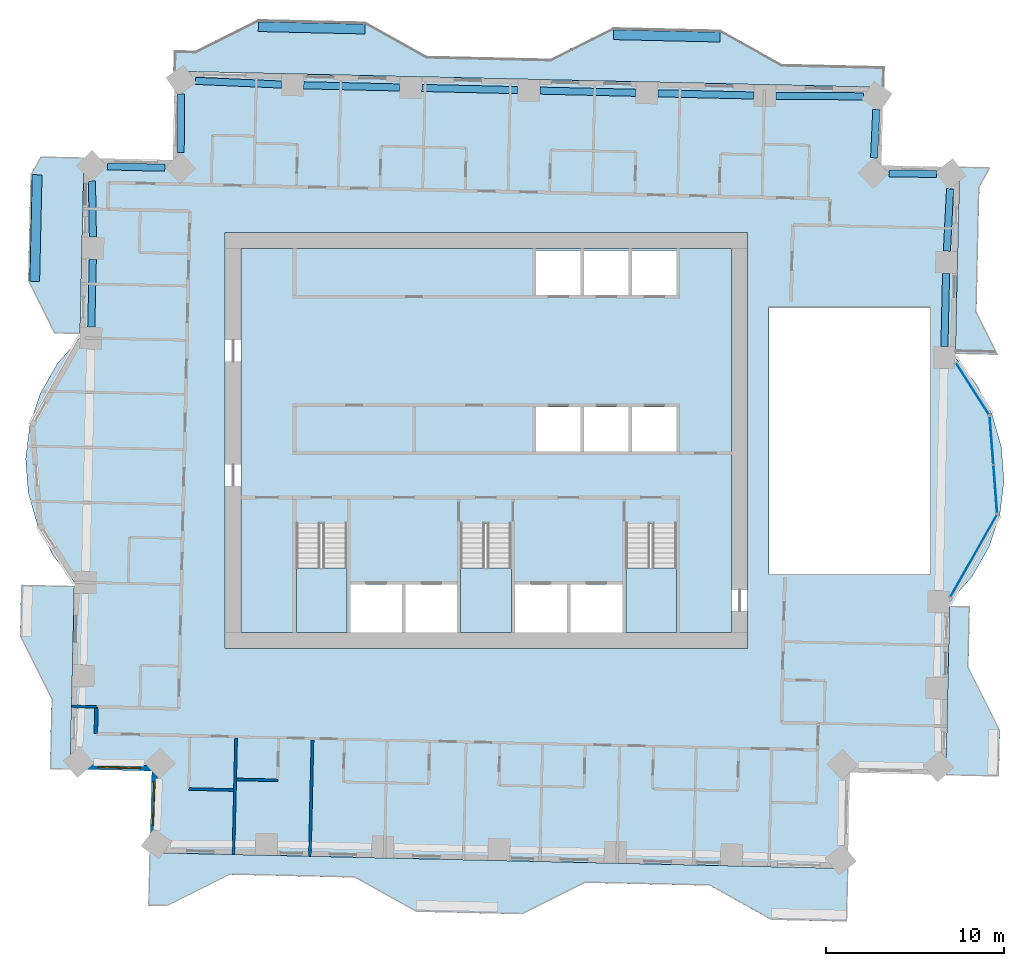
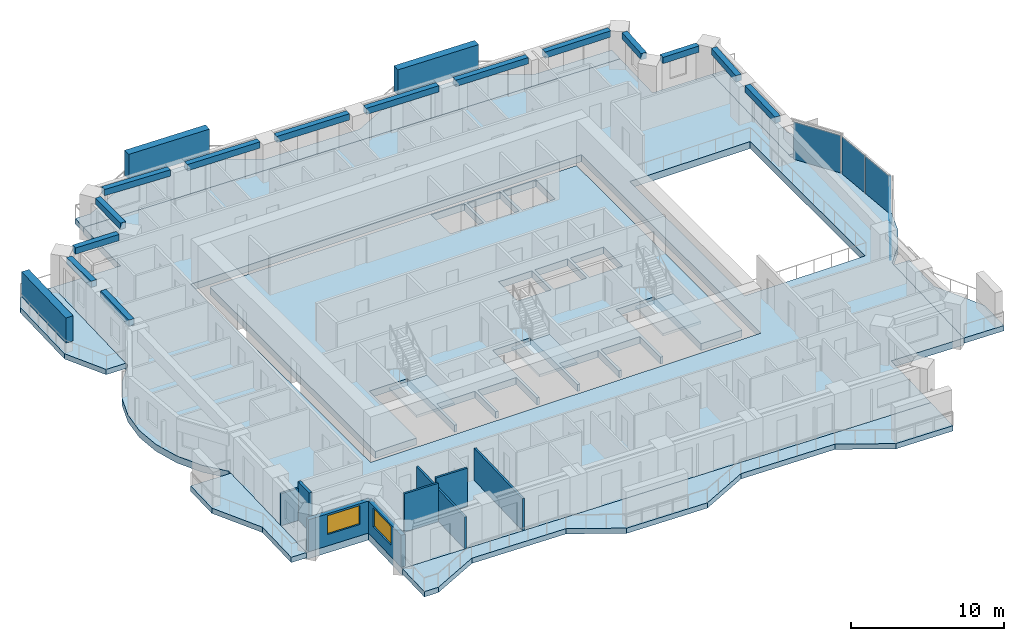
# One storey, part 3 of 15: 14 beams, 11 slabs, 8 walls, 4 plates, 3 members, 2 windows, 2 openings, 6 elements without a shape of their own.
"""IFC4 building model written with IfcOpenShell, lengths in metres."""

from ifc_helpers import new_model, si_unit, direction, frame, frame_2d, origin, origin_2d, place, context, subcontext, project, spatial, polyline, rectangle, outline, extrude, material, layer, layer_set, material_profile, profile_set, type_object, element, fill, aggregate, save


model = new_model("IFC4")

# Units and contexts
model_context = context("Model", 3, precision=1e-05, world=origin(), true_north=direction((0.0, 1.0)))
body_context = subcontext(model_context, "Body", "Model", "MODEL_VIEW")
ifc_project = project(units=[si_unit("LENGTHUNIT", "METRE"), si_unit("AREAUNIT", "SQUARE_METRE"), si_unit("VOLUMEUNIT", "CUBIC_METRE"), si_unit("PLANEANGLEUNIT", "RADIAN"), si_unit("MASSUNIT", "GRAM", prefix="KILO")], contexts=[model_context])

# Site, building, storey
site_placement = place(None, origin())
site = spatial("IfcSite", under=ifc_project, at=site_placement, CompositionType="ELEMENT")
building_placement = place(site_placement, origin())
building = spatial("IfcBuilding", under=site, at=building_placement, Name="Mangrove Gate Tower", CompositionType="ELEMENT")
storey_placement = place(building_placement, frame((0.0, 0.0, 156.300048828125)))
storey = spatial("IfcBuildingStorey", under=building, at=storey_placement, Name="L39", CompositionType="ELEMENT", Elevation=156.300048828125)

# Members
ifc_material_1 = material(Name="Planting on aluminium trellis", Category="aluminium")
ifc_material_profile_1 = material_profile(ifc_material_1, rectangle(XDim=0.550048828125, YDim=2.0, at=origin_2d()))
ifc_profile_set_1 = profile_set([ifc_material_profile_1], Name="Planting on aluminium trellis")
member_type = type_object("IfcMemberType", Name="Balcony greenery screen 550x2000", PredefinedType="USERDEFINED", material=ifc_profile_set_1)
member_1_placement = place(storey_placement, frame((7.156982421875, 22.844970703125, 1.800048828125), z_axis=(0.999743178102, -0.022662255828, 0.0), x_axis=(0.022662255828, 0.999743178102, 0.0)))
element("IfcMember", 1, at=member_1_placement, inside=storey, type_object=member_type, Name="GREEN SCREEN L39 N0.1", ObjectType="PLANTING", PredefinedType="USERDEFINED", context=body_context, shape_type="SweptSolid", body=[
    extrude(rectangle(XDim=0.550048828125, YDim=2.0, at=origin_2d()), origin(), (0.0, 0.0, 1.0), 6.00048828125),
])
member_2_placement = place(storey_placement, frame((-12.8369140625, 23.299072265625, 1.800048828125), z_axis=(0.999743073592, -0.022666865795, 0.0), x_axis=(0.022666865795, 0.999743073592, 0.0)))
element("IfcMember", 2, at=member_2_placement, inside=storey, type_object=member_type, Name="GREEN SCREEN L39 N1.1", ObjectType="PLANTING", PredefinedType="USERDEFINED", context=body_context, shape_type="SweptSolid", body=[
    extrude(rectangle(XDim=0.550048828125, YDim=2.0, at=origin_2d()), origin(), (0.0, 0.0, 1.0), 5.999267578125),
])
member_3_placement = place(storey_placement, frame((-25.4208984375, 8.966064453125, 1.800048828125), z_axis=(0.022665943652, 0.999743094499, 0.0), x_axis=(-0.999743094499, 0.022665943652, 0.0)))
element("IfcMember", 3, at=member_3_placement, inside=storey, type_object=member_type, Name="GREEN SCREEN L39 W0.1", ObjectType="PLANTING", PredefinedType="USERDEFINED", context=body_context, shape_type="SweptSolid", body=[
    extrude(rectangle(XDim=0.550048828125, YDim=2.0, at=origin_2d()), origin(), (0.0, 0.0, 1.0), 5.99951171875),
])

# Beams
ifc_material_2 = material(Name="Concrete C50/60", Category="concrete")
ifc_material_profile_2 = material_profile(ifc_material_2, rectangle(XDim=0.39990234375, YDim=0.5, at=origin_2d()))
ifc_profile_set_2 = profile_set([ifc_material_profile_2], Name="Concrete C50/60")
beam_type = type_object("IfcBeamType", Name="Edge beam RC 400x500 C50/60", PredefinedType="BEAM", material=ifc_profile_set_2)
beam_1_placement = place(storey_placement, frame((25.779296875, 5.303955078125, 2.800048828125), z_axis=(0.022564934913, 0.99974537944, 0.0), x_axis=(-0.99974537944, 0.022564934913, 0.0)))
element("IfcBeam", 4, at=beam_1_placement, inside=storey, type_object=beam_type, Name="Edge beam L39 15", PredefinedType="BEAM", context=body_context, shape_type="SweptSolid", body=[
    extrude(rectangle(XDim=0.39990234375, YDim=0.5, at=origin_2d()), origin(), (0.0, 0.0, 1.0), 4.111328125),
])
beam_2_placement = place(storey_placement, frame((25.918212890625, 10.66357421875, 2.800048828125), z_axis=(0.051264492748, 0.998685111426, 0.0), x_axis=(-0.998685111426, 0.051264492748, 0.0)))
element("IfcBeam", 5, at=beam_2_placement, inside=storey, type_object=beam_type, Name="Edge beam L39 16", PredefinedType="BEAM", context=body_context, shape_type="SweptSolid", body=[
    extrude(rectangle(XDim=0.39990234375, YDim=0.5, at=origin_2d()), origin(), (0.0, 0.0, 1.0), 3.5146484375),
])
beam_3_placement = place(storey_placement, frame((25.33935546875, 15.010498046875, 2.800048828125), z_axis=(-0.999924520308, 0.012286321129, 0.0), x_axis=(-0.012286321129, -0.999924520308, 0.0)))
element("IfcBeam", 6, at=beam_3_placement, inside=storey, type_object=beam_type, Name="Edge beam L39 17", PredefinedType="BEAM", context=body_context, shape_type="SweptSolid", body=[
    extrude(rectangle(XDim=0.39990234375, YDim=0.5, at=origin_2d()), origin(), (0.0, 0.0, 1.0), 2.6826171875),
])
beam_4_placement = place(storey_placement, frame((21.821044921875, 15.91796875, 2.800048828125), z_axis=(0.04517139191, 0.998979251713, 0.0), x_axis=(-0.998979251713, 0.04517139191, 0.0)))
element("IfcBeam", 7, at=beam_4_placement, inside=storey, type_object=beam_type, Name="Edge beam L39 18", PredefinedType="BEAM", context=body_context, shape_type="SweptSolid", body=[
    extrude(rectangle(XDim=0.39990234375, YDim=0.5, at=origin_2d()), origin(), (0.0, 0.0, 1.0), 2.718505859375),
])
beam_5_placement = place(storey_placement, frame((21.21923828125, 19.37646484375, 2.800048828125), z_axis=(-0.999980449933, 0.006252979488, 0.0), x_axis=(-0.006252979488, -0.999980449933, 0.0)))
element("IfcBeam", 8, at=beam_5_placement, inside=storey, type_object=beam_type, Name="Edge beam L39 19", PredefinedType="BEAM", context=body_context, shape_type="SweptSolid", body=[
    extrude(rectangle(XDim=0.39990234375, YDim=0.5, at=origin_2d()), origin(), (0.0, 0.0, 1.0), 4.91943359375),
])
beam_6_placement = place(storey_placement, frame((15.050048828125, 19.42529296875, 2.800048828125), z_axis=(-0.99974211572, 0.022709074303, 0.0), x_axis=(-0.022709074303, -0.99974211572, 0.0)))
element("IfcBeam", 9, at=beam_6_placement, inside=storey, type_object=beam_type, Name="Edge beam L39 20", PredefinedType="BEAM", context=body_context, shape_type="SweptSolid", body=[
    extrude(rectangle(XDim=0.39990234375, YDim=0.5, at=origin_2d()), origin(), (0.0, 0.0, 1.0), 5.39697265625),
])
for number, where, z_axis, x_axis, name in (
    (10, (8.405029296875, 19.576416015625, 2.800048828125), (-0.99974209239, 0.022710101379, 0.0), (-0.022710101379, -0.99974209239, 0.0), "Edge beam L39 21"),
    (11, (1.760009765625, 19.727294921875, 2.800048828125), (-0.999745164565, 0.022574453012, 0.0), (-0.022574453012, -0.999745164565, 0.0), "Edge beam L39 22"),
    (12, (-4.885009765625, 19.87744140625, 2.800048828125), (-0.99974209239, 0.022710101379, 0.0), (-0.022710101379, -0.99974209239, 0.0), "Edge beam L39 23"),
):
    element("IfcBeam", number, at=place(storey_placement, frame(where, z_axis=z_axis, x_axis=x_axis)), inside=storey, type_object=beam_type, Name=name, PredefinedType="BEAM", context=body_context, shape_type="SweptSolid", body=[
        extrude(rectangle(XDim=0.39990234375, YDim=0.5, at=origin_2d()), origin(), (0.0, 0.0, 1.0), 5.396728515625),
    ])
beam_7_placement = place(storey_placement, frame((-11.52978515625, 20.040771484375, 2.800048828125), z_axis=(-0.99908526165, 0.04276259995, 0.0), x_axis=(-0.04276259995, -0.99908526165, 0.0)))
element("IfcBeam", 13, at=beam_7_placement, inside=storey, type_object=beam_type, Name="Edge beam L39 24", PredefinedType="BEAM", context=body_context, shape_type="SweptSolid", body=[
    extrude(rectangle(XDim=0.39990234375, YDim=0.5, at=origin_2d()), origin(), (0.0, 0.0, 1.0), 4.852783203125),
])
beam_8_placement = place(storey_placement, frame((-17.1787109375, 19.5078125, 2.800048828125), z_axis=(-0.009256805477, -0.999957154858, 0.0), x_axis=(0.999957154858, -0.009256805477, 0.0)))
element("IfcBeam", 14, at=beam_8_placement, inside=storey, type_object=beam_type, Name="Edge beam L39 25", PredefinedType="BEAM", context=body_context, shape_type="SweptSolid", body=[
    extrude(rectangle(XDim=0.39990234375, YDim=0.5, at=origin_2d()), origin(), (0.0, 0.0, 1.0), 3.296875),
])
beam_9_placement = place(storey_placement, frame((-18.100341796875, 15.35986328125, 2.800048828125), z_axis=(-0.999728264074, 0.023310899004, 0.0), x_axis=(-0.023310899004, -0.999728264074, 0.0)))
element("IfcBeam", 15, at=beam_9_placement, inside=storey, type_object=beam_type, Name="Edge beam L39 26", PredefinedType="BEAM", context=body_context, shape_type="SweptSolid", body=[
    extrude(rectangle(XDim=0.39990234375, YDim=0.5, at=origin_2d()), origin(), (0.0, 0.0, 1.0), 3.236328125),
])
beam_10_placement = place(storey_placement, frame((-22.199462890625, 14.599609375, 2.800048828125), z_axis=(0.016224572201, -0.999868372966, 0.0), x_axis=(0.999868372966, 0.016224572201, 0.0)))
element("IfcBeam", 16, at=beam_10_placement, inside=storey, type_object=beam_type, Name="Edge beam L39 27", PredefinedType="BEAM", context=body_context, shape_type="SweptSolid", body=[
    extrude(rectangle(XDim=0.39990234375, YDim=0.5, at=origin_2d()), origin(), (0.0, 0.0, 1.0), 3.14501953125),
])
beam_11_placement = place(storey_placement, frame((-22.15234375, 10.205078125, 2.800048828125), z_axis=(-0.022733042384, -0.999741570999, 0.0), x_axis=(0.999741570999, -0.022733042384, 0.0)))
element("IfcBeam", 17, at=beam_11_placement, inside=storey, type_object=beam_type, Name="Edge beam L39 28", PredefinedType="BEAM", context=body_context, shape_type="SweptSolid", body=[
    extrude(rectangle(XDim=0.39990234375, YDim=0.5, at=origin_2d()), origin(), (0.0, 0.0, 1.0), 3.8125),
])

# Curtain wall, plate
ifc_material_3 = material(Name="Aluminium and glass curtain wall", Category="aluminium")
curtain_wall_type = type_object("IfcCurtainWallType", Name="Atrium garden-court glazing wall", PredefinedType="NOTDEFINED", material=ifc_material_3)
curtain_wall_1_placement = place(storey_placement, origin())
curtain_wall_1 = element("IfcCurtainWall", 18, at=curtain_wall_1_placement, inside=storey, type_object=curtain_wall_type, Name="Atrium garden-court glazing E1f1", PredefinedType="NOTDEFINED")
ifc_material_4 = material(Name="Laminated low-e glass", Category="glass")
ifc_layer_1 = layer(ifc_material_4, 0.031982421875)
ifc_layer_set_1 = layer_set([ifc_layer_1], Name="Atrium garden-court glazing panel 32")
plate_type = type_object("IfcPlateType", Name="Atrium garden-court glazing panel 32", PredefinedType="CURTAIN_PANEL", material=ifc_layer_set_1)
plate_1_placement = place(storey_placement, frame((27.4228515625, -6.48876953125, 0.0), z_axis=(0.0, 0.0, 1.0), x_axis=(0.492564461279, 0.870275962833, 0.0)))
plate_1 = element("IfcPlate", 19, at=plate_1_placement, type_object=plate_type, Name="CWA panel 1.1", PredefinedType="CURTAIN_PANEL", context=body_context, shape_type="SweptSolid", body=[
    extrude(rectangle(XDim=5.257568359375, YDim=0.031982421875, at=origin_2d()), origin(), (0.0, 0.0, 1.0), 2.97998046875),
])
aggregate(curtain_wall_1, [plate_1])

# Curtain wall, plates
curtain_wall_2_placement = place(storey_placement, origin())
curtain_wall_2 = element("IfcCurtainWall", 20, at=curtain_wall_2_placement, inside=storey, type_object=curtain_wall_type, Name="Atrium garden-court glazing E1f2", PredefinedType="NOTDEFINED")
plate_2_placement = place(storey_placement, frame((28.6435546875, -2.7333984375, 0.0), z_axis=(0.0, 0.0, 1.0), x_axis=(-0.077023348403, 0.997029289339, 0.0)))
plate_2 = element("IfcPlate", 21, at=plate_2_placement, type_object=plate_type, Name="CWA panel 1.1", PredefinedType="CURTAIN_PANEL", context=body_context, shape_type="SweptSolid", body=[
    extrude(rectangle(XDim=2.681640625, YDim=0.031982421875, at=origin_2d()), origin(), (0.0, 0.0, 1.0), 2.97998046875),
])
plate_3_placement = place(storey_placement, frame((28.431640625, 0.01025390625, 0.0), z_axis=(0.0, 0.0, 1.0), x_axis=(-0.077023348403, 0.997029289339, 0.0)))
plate_3 = element("IfcPlate", 22, at=plate_3_placement, type_object=plate_type, Name="CWA panel 2.1", PredefinedType="CURTAIN_PANEL", context=body_context, shape_type="SweptSolid", body=[
    extrude(rectangle(XDim=2.681640625, YDim=0.031982421875, at=origin_2d()), origin(), (0.0, 0.0, 1.0), 2.97998046875),
])
aggregate(curtain_wall_2, [plate_2, plate_3])

# Curtain wall, plate
curtain_wall_3_placement = place(storey_placement, origin())
curtain_wall_3 = element("IfcCurtainWall", 23, at=curtain_wall_3_placement, inside=storey, type_object=curtain_wall_type, Name="Atrium garden-court glazing E1f3", PredefinedType="NOTDEFINED")
plate_4_placement = place(storey_placement, frame((27.358642578125, 2.917724609375, 0.0), z_axis=(0.0, 0.0, 1.0), x_axis=(-0.540496322894, 0.841346376315, 0.0)))
plate_4 = element("IfcPlate", 24, at=plate_4_placement, type_object=plate_type, Name="CWA panel 1.1", PredefinedType="CURTAIN_PANEL", context=body_context, shape_type="SweptSolid", body=[
    extrude(rectangle(XDim=3.427978515625, YDim=0.031982421875, at=origin_2d()), origin(), (0.0, 0.0, 1.0), 2.97998046875),
])
aggregate(curtain_wall_3, [plate_4])

# Slabs
ifc_material_5 = material(Name="Porcelain tile")
ifc_layer_2 = layer(ifc_material_5, 0.02001953125, Name="Tile finish")
ifc_material_6 = material(Name="Cement sand screed")
ifc_layer_3 = layer(ifc_material_6, 0.0400390625, Name="Screed laid to falls")
ifc_material_7 = material(Name="Bituminous waterproofing membrane")
ifc_layer_4 = layer(ifc_material_7, 0.00390625, Name="Waterproofing")
ifc_material_8 = material(Name="Concrete C40/50", Category="concrete")
ifc_layer_5 = layer(ifc_material_8, 0.340087890625, Name="Balcony structural slab")
ifc_material_9 = material(Name="Limestone", Category="masonry")
ifc_layer_6 = layer(ifc_material_9, 0.01611328125, Name="Soffit lining")
ifc_layer_set_2 = layer_set([ifc_layer_2, ifc_layer_3, ifc_layer_4, ifc_layer_5, ifc_layer_6], Name="Balcony slab 420 C40/50")
slab_type_1 = type_object("IfcSlabType", Name="Balcony slab 420 C40/50", PredefinedType="FLOOR", material=ifc_layer_set_2)
slab_1_placement = place(storey_placement, frame((0.0, 0.0, -0.420166015625)))
element("IfcSlab", 25, at=slab_1_placement, inside=storey, type_object=slab_type_1, Name="BALCONY L39 E0", PredefinedType="FLOOR", context=body_context, shape_type="SweptSolid", body=[
    extrude(outline(polyline([(28.845947265625, -18.873046875), (28.905029296875, -16.27294921875), (27.135009765625, -12.73193359375), (27.2119140625, -9.35791015625), (26.072021484375, -9.3330078125), (25.9951171875, -12.7060546875), (25.916015625, -16.205078125), (25.85693359375, -18.804931640625), (28.845947265625, -18.873046875)])), origin(), (0.0, 0.0, 1.0), 0.420166015625),
])
slab_2_placement = place(storey_placement, frame((0.0, 0.0, -0.420166015625)))
element("IfcSlab", 26, at=slab_2_placement, inside=storey, type_object=slab_type_1, Name="BALCONY L39 E1", PredefinedType="FLOOR", context=body_context, shape_type="SweptSolid", body=[
    extrude(outline(polyline([(28.7900390625, 4.860107421875), (27.589111328125, 7.262939453125), (27.748046875, 14.260986328125), (28.35400390625, 15.346923828125), (26.633056640625, 15.385986328125), (26.60791015625, 14.287109375), (26.448974609375, 7.2890625), (26.39501953125, 4.9140625), (28.7900390625, 4.860107421875)])), origin(), (0.0, 0.0, 1.0), 0.420166015625),
])
slab_3_placement = place(storey_placement, frame((0.0, 0.0, -0.420166015625)))
element("IfcSlab", 27, at=slab_3_placement, inside=storey, type_object=slab_type_1, Name="BALCONY L39 N0", PredefinedType="FLOOR", context=body_context, shape_type="SweptSolid", body=[
    extrude(outline(polyline([(22.360107421875, 21.02490234375), (16.62109375, 21.155029296875), (13.1640625, 23.083984375), (7.166015625, 23.219970703125), (3.625, 21.449951171875), (-3.3740234375, 21.60888671875), (-6.8310546875, 23.5380859375), (-12.8291015625, 23.674072265625), (-16.3701171875, 21.905029296875), (-17.510009765625, 21.929931640625), (-17.535888671875, 20.7900390625), (-3.39892578125, 20.468994140625), (2.39892578125, 20.337890625), (22.333984375, 19.885009765625), (22.360107421875, 21.02490234375)])), origin(), (0.0, 0.0, 1.0), 0.420166015625),
])
slab_4_placement = place(storey_placement, frame((0.0, 0.0, -0.420166015625)))
element("IfcSlab", 28, at=slab_4_placement, inside=storey, type_object=slab_type_1, Name="BALCONY L39 W0", PredefinedType="FLOOR", context=body_context, shape_type="SweptSolid", body=[
    extrude(outline(polyline([(-25.10888671875, 15.9599609375), (-25.659912109375, 14.972900390625), (-25.7958984375, 8.97412109375), (-24.342041015625, 6.06591796875), (-22.8720703125, 6.032958984375), (-22.806884765625, 8.906005859375), (-22.6708984375, 14.905029296875), (-22.64794921875, 15.905029296875), (-25.10888671875, 15.9599609375)])), origin(), (0.0, 0.0, 1.0), 0.420166015625),
])
slab_5_placement = place(storey_placement, frame((0.0, 0.0, -0.420166015625)))
element("IfcSlab", 29, at=slab_5_placement, inside=storey, type_object=slab_type_1, Name="BALCONY L39 W1", PredefinedType="FLOOR", context=body_context, shape_type="SweptSolid", body=[
    extrude(outline(polyline([(-26.18505859375, -8.14697265625), (-26.25, -11.02099609375), (-24.47998046875, -14.56201171875), (-24.568115234375, -18.4609375), (-23.427978515625, -18.487060546875), (-23.340087890625, -14.587890625), (-23.260986328125, -11.087890625), (-23.195068359375, -8.214111328125), (-26.18505859375, -8.14697265625)])), origin(), (0.0, 0.0, 1.0), 0.420166015625),
])
slab_6_placement = place(storey_placement, frame((0.0, 0.0, -0.420166015625)))
element("IfcSlab", 30, at=slab_6_placement, inside=storey, type_object=slab_type_1, Name="BALCONY L39 S0", PredefinedType="FLOOR", context=body_context, shape_type="SweptSolid", body=[
    extrude(outline(polyline([(-19.001953125, -26.178955078125), (-17.9619140625, -26.202880859375), (-14.4208984375, -24.431884765625), (-7.423095703125, -24.591064453125), (-3.966064453125, -26.52001953125), (2.032958984375, -26.656005859375), (5.573974609375, -24.886962890625), (12.572021484375, -25.044921875), (16.029052734375, -26.97412109375), (20.26806640625, -27.070068359375), (20.3359375, -24.0810546875), (-18.93408203125, -23.18994140625), (-19.001953125, -26.178955078125)])), origin(), (0.0, 0.0, 1.0), 0.420166015625),
])
ifc_material_10 = material(Name="Concrete C40/50", Category="concrete")
ifc_layer_7 = layer(ifc_material_10, 0.550048828125)
ifc_layer_set_3 = layer_set([ifc_layer_7], Name="Core floor slab 550 C40/50")
slab_type_2 = type_object("IfcSlabType", Name="Core floor slab 550 C40/50", PredefinedType="FLOOR", material=ifc_layer_set_3)
slab_7_placement = place(storey_placement, frame((0.0, 0.0, -0.550048828125)))
element("IfcSlab", 31, at=slab_7_placement, inside=storey, type_object=slab_type_2, Name="SLAB-L39-CORE-1", PredefinedType="FLOOR", context=body_context, shape_type="SweptSolid", body=[
    extrude(outline(polyline([(-13.800048828125, -10.800048828125), (-13.800048828125, 10.800048828125), (13.800048828125, 10.800048828125), (13.800048828125, -10.800048828125), (10.699951171875, -10.800048828125), (10.699951171875, -4.653076171875), (7.85009765625, -4.653076171875), (7.85009765625, -10.800048828125), (7.64990234375, -10.800048828125), (7.64990234375, -8.10009765625), (4.72509765625, -8.10009765625), (4.72509765625, -10.800048828125), (4.52490234375, -10.800048828125), (4.52490234375, -8.10009765625), (1.60009765625, -8.10009765625), (1.60009765625, -10.800048828125), (1.39990234375, -10.800048828125), (1.39990234375, -4.653076171875), (-1.449951171875, -4.653076171875), (-1.449951171875, -10.800048828125), (-1.64990234375, -10.800048828125), (-1.64990234375, -8.10009765625), (-4.550048828125, -8.10009765625), (-4.550048828125, -10.800048828125), (-4.75, -10.800048828125), (-4.75, -8.10009765625), (-7.64990234375, -8.10009765625), (-7.64990234375, -10.800048828125), (-7.85009765625, -10.800048828125), (-7.85009765625, -4.653076171875), (-10.699951171875, -4.653076171875), (-10.699951171875, -10.800048828125), (-13.800048828125, -10.800048828125)]), holes=[polyline([(5.300048828125, -0.60009765625), (5.300048828125, 1.89990234375), (2.800048828125, 1.89990234375), (2.800048828125, -0.60009765625), (5.300048828125, -0.60009765625)]), polyline([(5.300048828125, 10.699951171875), (2.800048828125, 10.699951171875), (2.800048828125, 8.199951171875), (5.300048828125, 8.199951171875), (5.300048828125, 10.699951171875)]), polyline([(8.0, -0.60009765625), (8.0, 1.89990234375), (5.5, 1.89990234375), (5.5, -0.60009765625), (8.0, -0.60009765625)]), polyline([(10.699951171875, -0.60009765625), (10.699951171875, 1.89990234375), (8.199951171875, 1.89990234375), (8.199951171875, -0.60009765625), (10.699951171875, -0.60009765625)]), polyline([(8.0, 8.199951171875), (8.0, 10.699951171875), (5.5, 10.699951171875), (5.5, 8.199951171875), (8.0, 8.199951171875)]), polyline([(10.699951171875, 8.199951171875), (10.699951171875, 10.699951171875), (8.199951171875, 10.699951171875), (8.199951171875, 8.199951171875), (10.699951171875, 8.199951171875)])]), origin(), (0.0, 0.0, 1.0), 0.550048828125),
])

# Stair, slab
ifc_material_11 = material(Name="Concrete C40/50", Category="concrete")
stair_type = type_object("IfcStairType", Name="Core stair 1350", PredefinedType="HALF_TURN_STAIR", material=ifc_material_11)
stair_1_placement = place(storey_placement, origin())
stair_1 = element("IfcStair", 32, at=stair_1_placement, inside=storey, type_object=stair_type, Name="L39 Stair 1", PredefinedType="HALF_TURN_STAIR")
ifc_material_12 = material(Name="Concrete C40/50", Category="concrete")
ifc_layer_8 = layer(ifc_material_12, 0.199951171875)
ifc_layer_set_4 = layer_set([ifc_layer_8], Name="Core stair landing 200")
slab_type_3 = type_object("IfcSlabType", Name="Core stair landing 200", PredefinedType="LANDING", material=ifc_layer_set_4)
slab_8_placement = place(storey_placement, frame((0.0, 0.0, 1.599853515625)))
slab_8 = element("IfcSlab", 33, at=slab_8_placement, type_object=slab_type_3, Name="ST1 landing 1", PredefinedType="LANDING", context=body_context, shape_type="SweptSolid", body=[
    extrude(outline(polyline([(-10.699951171875, -7.169921875), (-10.699951171875, -10.800048828125), (-7.85009765625, -10.800048828125), (-7.85009765625, -7.169921875), (-10.699951171875, -7.169921875)])), origin(), (0.0, 0.0, 1.0), 0.2001953125),
])
aggregate(stair_1, [slab_8])

stair_2_placement = place(storey_placement, origin())
stair_2 = element("IfcStair", 34, at=stair_2_placement, inside=storey, type_object=stair_type, Name="L39 Stair 2", PredefinedType="HALF_TURN_STAIR")
slab_9_placement = place(storey_placement, frame((0.0, 0.0, 1.599853515625)))
slab_9 = element("IfcSlab", 35, at=slab_9_placement, type_object=slab_type_3, Name="ST2 landing 1", PredefinedType="LANDING", context=body_context, shape_type="SweptSolid", body=[
    extrude(outline(polyline([(-1.449951171875, -7.169921875), (-1.449951171875, -10.800048828125), (1.39990234375, -10.800048828125), (1.39990234375, -7.169921875), (-1.449951171875, -7.169921875)])), origin(), (0.0, 0.0, 1.0), 0.2001953125),
])
aggregate(stair_2, [slab_9])

stair_3_placement = place(storey_placement, origin())
stair_3 = element("IfcStair", 36, at=stair_3_placement, inside=storey, type_object=stair_type, Name="L39 Stair 3", PredefinedType="HALF_TURN_STAIR")
slab_10_placement = place(storey_placement, frame((0.0, 0.0, 1.599853515625)))
slab_10 = element("IfcSlab", 37, at=slab_10_placement, type_object=slab_type_3, Name="ST3 landing 1", PredefinedType="LANDING", context=body_context, shape_type="SweptSolid", body=[
    extrude(outline(polyline([(7.85009765625, -7.169921875), (7.85009765625, -10.800048828125), (10.699951171875, -10.800048828125), (10.699951171875, -7.169921875), (7.85009765625, -7.169921875)])), origin(), (0.0, 0.0, 1.0), 0.2001953125),
])
aggregate(stair_3, [slab_10])

# Slab
ifc_material_13 = material(Name="Concrete C40/50", Category="concrete")
ifc_layer_9 = layer(ifc_material_13, 0.550048828125)
ifc_layer_set_5 = layer_set([ifc_layer_9], Name="Floor slab 550 C40/50")
slab_type_4 = type_object("IfcSlabType", Name="Floor slab 550 C40/50", PredefinedType="FLOOR", material=ifc_layer_set_5)
slab_11_placement = place(storey_placement, frame((0.0, 0.0, -0.550048828125)))
element("IfcSlab", 38, at=slab_11_placement, inside=storey, type_object=slab_type_4, Name="Floor slab L39", PredefinedType="FLOOR", context=body_context, shape_type="SweptSolid", body=[
    extrude(outline(polyline([(-18.93408203125, -23.189697265625), (20.3359375, -24.080810546875), (20.45849609375, -18.68212890625), (25.85693359375, -18.8046875), (26.07763671875, -9.08251953125), (27.340576171875, -7.64599609375), (28.293701171875, -5.98779296875), (28.899169921875, -4.17333984375), (29.1328125, -2.27490234375), (28.985595703125, -0.36767578125), (28.463134765625, 1.472412109375), (27.586181640625, 3.172119140625), (26.3896484375, 4.66455078125), (26.633056640625, 15.386474609375), (22.234130859375, 15.486328125), (22.333984375, 19.88525390625), (-17.535888671875, 20.789794921875), (-17.649169921875, 15.791259765625), (-22.64794921875, 15.904541015625), (-22.877685546875, 5.782470703125), (-24.140625, 4.345947265625), (-25.09375, 2.687744140625), (-25.69921875, 0.873291015625), (-25.932861328125, -1.025146484375), (-25.78564453125, -2.932373046875), (-25.26318359375, -4.772216796875), (-24.38623046875, -6.47216796875), (-23.189697265625, -7.964599609375), (-23.428466796875, -18.486572265625), (-18.82958984375, -18.5908203125), (-18.93408203125, -23.189697265625)]), holes=[polyline([(15.89990234375, 7.5), (24.964111328125, 7.5), (24.964111328125, -7.5), (15.89990234375, -7.5), (15.89990234375, 7.5)]), polyline([(-14.699951171875, -11.699951171875), (-14.699951171875, 11.699951171875), (14.699951171875, 11.699951171875), (14.699951171875, -11.699951171875), (-14.699951171875, -11.699951171875)])]), origin(), (0.0, 0.0, 1.0), 0.550048828125),
])

# Wall
ifc_material_14 = material(Name="Gypsum board on steel stud, EI 60", Category="steel")
ifc_layer_10 = layer(ifc_material_14, 0.199951171875)
ifc_layer_set_6 = layer_set([ifc_layer_10], Name="Corridor wall EI 60")
wall_type_1 = type_object("IfcWallType", Name="Corridor wall EI 60", PredefinedType="PARTITIONING", material=ifc_layer_set_6)
wall_1_placement = place(storey_placement, frame((-21.98291015625, -16.492919921875, 0.0), z_axis=(0.0, 0.0, 1.0), x_axis=(0.022617910375, 0.999744182344, 0.0)))
element("IfcWall", 39, at=wall_1_placement, inside=storey, type_object=wall_type_1, Name="WALL-L39-024", PredefinedType="PARTITIONING", context=body_context, shape_type="SweptSolid", body=[
    extrude(rectangle(XDim=1.50048828125, YDim=0.199951171875, at=frame_2d((0.750244140625, 0.0))), origin(), (0.0, 0.0, 1.0), 3.050048828125),
])

# Wall, opening, window
ifc_layer_11 = layer(ifc_material_9, 0.0400390625, Name="Limestone cladding")
ifc_material_15 = material(Name="Ventilated air gap")
ifc_layer_12 = layer(ifc_material_15, 0.0400390625, Name="Ventilated cavity")
ifc_material_16 = material(Name="Mineral wool insulation")
ifc_layer_13 = layer(ifc_material_16, 0.06005859375, Name="Insulation")
ifc_material_17 = material(Name="Breather membrane")
ifc_layer_14 = layer(ifc_material_17, 0.001953125, Name="Breather membrane")
ifc_material_18 = material(Name="Concrete C20/25 blockwork", Category="masonry")
ifc_layer_15 = layer(ifc_material_18, 0.14990234375, Name="Blockwork backing wall")
ifc_material_19 = material(Name="Gypsum plaster")
ifc_layer_16 = layer(ifc_material_19, 0.008056640625, Name="Internal plaster")
ifc_layer_set_7 = layer_set([ifc_layer_11, ifc_layer_12, ifc_layer_13, ifc_layer_14, ifc_layer_15, ifc_layer_16], Name="External wall 300 limestone cladding")
wall_type_2 = type_object("IfcWallType", Name="External wall 300 limestone cladding", PredefinedType="SOLIDWALL", material=ifc_layer_set_7)
wall_2_placement = place(storey_placement, frame((-23.27490234375, -18.340087890625, 0.0), z_axis=(0.0, 0.0, 1.0), x_axis=(0.999744377441, -0.022609285172, 0.0)))
wall_2 = element("IfcWall", 40, at=wall_2_placement, inside=storey, type_object=wall_type_2, Name="WALL-L39-S11", PredefinedType="SOLIDWALL", context=body_context, shape_type="SweptSolid", body=[
    extrude(rectangle(XDim=4.60009765625, YDim=0.300048828125, at=frame_2d((2.300048828125, 0.0))), origin(), (0.0, 0.0, 1.0), 2.550048828125),
])
opening_1_placement = place(wall_2_placement, frame((1.405029296875, 0.0, 0.89990234375)))
opening_1 = element("IfcOpeningElement", 41, at=opening_1_placement, cuts=wall_2, Name="Opening W2", PredefinedType="OPENING", context=body_context, shape_type="SweptSolid", body=[
    extrude(rectangle(XDim=2.39990234375, YDim=1.5, at=frame_2d((1.199951171875, 0.75))), frame((0.0, 0.159912109375, 0.0), z_axis=(0.0, -1.0, 0.0), x_axis=(1.0, 0.0, 0.0)), (0.0, 0.0, 1.0), 0.320068359375),
])
ifc_material_20 = material(Name="Aluminium frame with double-glazed low-e glass", Category="aluminium")
window_type = type_object("IfcWindowType", Name="Corner room window 2400x1500", PartitioningType="DOUBLE_PANEL_VERTICAL", PredefinedType="WINDOW", material=ifc_material_20)
window_1_placement = place(opening_1_placement, origin())
window_1 = element("IfcWindow", 42, at=window_1_placement, inside=storey, type_object=window_type, Name="WIN-L39-S11-1", OverallHeight=1.5, OverallWidth=2.39990234375, PartitioningType="DOUBLE_PANEL_VERTICAL", PredefinedType="WINDOW", context=body_context, shape_type="SweptSolid", body=[
    extrude(rectangle(XDim=2.39990234375, YDim=1.5, at=frame_2d((1.199951171875, 0.75))), frame((0.0, 0.030029296875, 0.0), z_axis=(0.0, -1.0, 0.0), x_axis=(1.0, 0.0, 0.0)), (0.0, 0.0, 1.0), 0.06005859375),
])
fill(opening_1, window_1)

wall_3_placement = place(storey_placement, frame((-18.676025390625, -18.444091796875, 0.0), z_axis=(0.0, 0.0, 1.0), x_axis=(-0.022821468877, -0.999739556364, 0.0)))
wall_3 = element("IfcWall", 43, at=wall_3_placement, inside=storey, type_object=wall_type_2, Name="WALL-L39-W12", PredefinedType="SOLIDWALL", context=body_context, shape_type="SweptSolid", body=[
    extrude(rectangle(XDim=4.60009765625, YDim=0.300048828125, at=frame_2d((2.300048828125, 0.0))), origin(), (0.0, 0.0, 1.0), 2.550048828125),
])
opening_2_placement = place(wall_3_placement, frame((0.780029296875, 0.0, 0.89990234375)))
opening_2 = element("IfcOpeningElement", 44, at=opening_2_placement, cuts=wall_3, Name="Opening W2", PredefinedType="OPENING", context=body_context, shape_type="SweptSolid", body=[
    extrude(rectangle(XDim=2.39990234375, YDim=1.5, at=frame_2d((1.199951171875, 0.75))), frame((0.0, 0.159912109375, 0.0), z_axis=(0.0, -1.0, 0.0), x_axis=(1.0, 0.0, 0.0)), (0.0, 0.0, 1.0), 0.320068359375),
])
window_2_placement = place(opening_2_placement, origin())
window_2 = element("IfcWindow", 45, at=window_2_placement, inside=storey, type_object=window_type, Name="WIN-L39-W12-1", OverallHeight=1.5, OverallWidth=2.39990234375, PartitioningType="DOUBLE_PANEL_VERTICAL", PredefinedType="WINDOW", context=body_context, shape_type="SweptSolid", body=[
    extrude(rectangle(XDim=2.39990234375, YDim=1.5, at=frame_2d((1.199951171875, 0.75))), frame((0.0, 0.030029296875, 0.0), z_axis=(0.0, -1.0, 0.0), x_axis=(1.0, 0.0, 0.0)), (0.0, 0.0, 1.0), 0.06005859375),
])
fill(opening_2, window_2)

# Walls
ifc_material_21 = material(Name="Gypsum board on steel stud, EI 60", Category="steel")
ifc_layer_17 = layer(ifc_material_21, 0.14990234375)
ifc_layer_set_8 = layer_set([ifc_layer_17], Name="Party wall 150 EI 60")
wall_type_3 = type_object("IfcWallType", Name="Party wall 150 EI 60", PredefinedType="PARTITIONING", material=ifc_layer_set_8)
wall_4_placement = place(storey_placement, frame((-14.235107421875, -23.2958984375, 0.0), z_axis=(0.0, 0.0, 1.0), x_axis=(0.022623197363, 0.999744062719, 0.0)))
element("IfcWall", 46, at=wall_4_placement, inside=storey, type_object=wall_type_3, Name="WALL-L39-001", PredefinedType="PARTITIONING", context=body_context, shape_type="SweptSolid", body=[
    extrude(rectangle(XDim=6.550537109375, YDim=0.14990234375, at=frame_2d((3.275390625, 0.0))), origin(), (0.0, 0.0, 1.0), 2.550048828125),
])
wall_5_placement = place(storey_placement, frame((-9.93603515625, -23.39404296875, 0.0), z_axis=(0.0, 0.0, 1.0), x_axis=(0.022585104341, 0.999744923999, 0.0)))
element("IfcWall", 47, at=wall_5_placement, inside=storey, type_object=wall_type_3, Name="WALL-L39-002", PredefinedType="PARTITIONING", context=body_context, shape_type="SweptSolid", body=[
    extrude(rectangle(XDim=6.55078125, YDim=0.14990234375, at=frame_2d((3.275390625, 0.0))), origin(), (0.0, 0.0, 1.0), 2.550048828125),
])
wall_6_placement = place(storey_placement, frame((-16.751953125, -19.60791015625, 0.0), z_axis=(0.0, 0.0, 1.0), x_axis=(0.999735102249, -0.023015762656, 0.0)))
element("IfcWall", 48, at=wall_6_placement, inside=storey, type_object=wall_type_3, Name="WALL-L39-011", PredefinedType="PARTITIONING", context=body_context, shape_type="SweptSolid", body=[
    extrude(rectangle(XDim=2.524658203125, YDim=0.14990234375, at=frame_2d((1.26220703125, 0.0))), origin(), (0.0, 0.0, 1.0), 3.050048828125),
])
wall_7_placement = place(storey_placement, frame((-14.06396484375, -19.069091796875, 0.0), z_axis=(0.0, 0.0, 1.0), x_axis=(0.999740260747, -0.02279059109, 0.0)))
element("IfcWall", 49, at=wall_7_placement, inside=storey, type_object=wall_type_3, Name="WALL-L39-020", PredefinedType="PARTITIONING", context=body_context, shape_type="SweptSolid", body=[
    extrude(rectangle(XDim=2.324462890625, YDim=0.14990234375, at=frame_2d((1.162109375, 0.0))), origin(), (0.0, 0.0, 1.0), 3.050048828125),
])
wall_8_placement = place(storey_placement, frame((-23.347900390625, -14.95703125, 0.0), z_axis=(0.0, 0.0, 1.0), x_axis=(0.999740216184, -0.022792545827, 0.0)))
element("IfcWall", 50, at=wall_8_placement, inside=storey, type_object=wall_type_3, Name="WALL-L39-033", PredefinedType="PARTITIONING", context=body_context, shape_type="SweptSolid", body=[
    extrude(rectangle(XDim=1.403076171875, YDim=0.14990234375, at=frame_2d((0.70166015625, 0.0))), origin(), (0.0, 0.0, 1.0), 2.550048828125),
])

save(model, "model.ifc")
